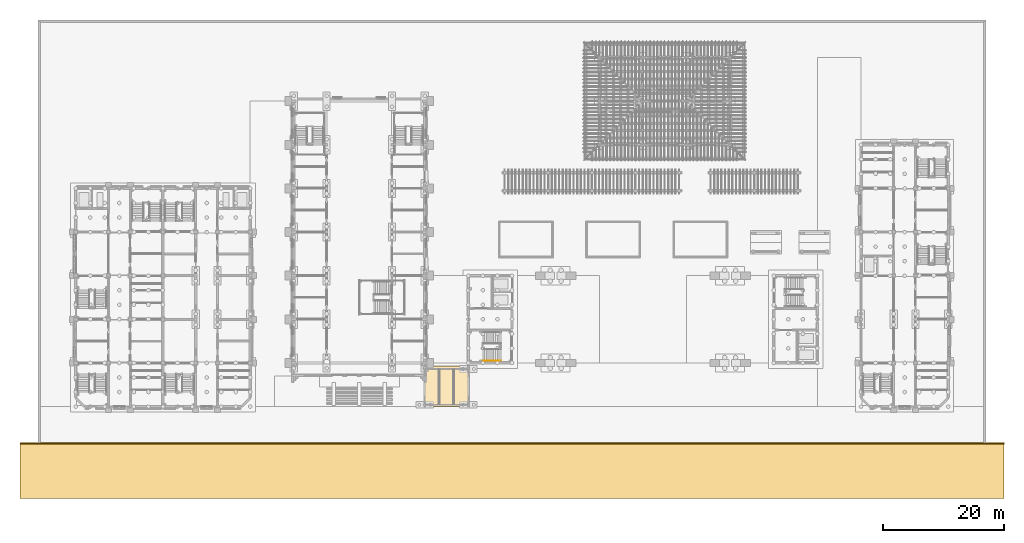
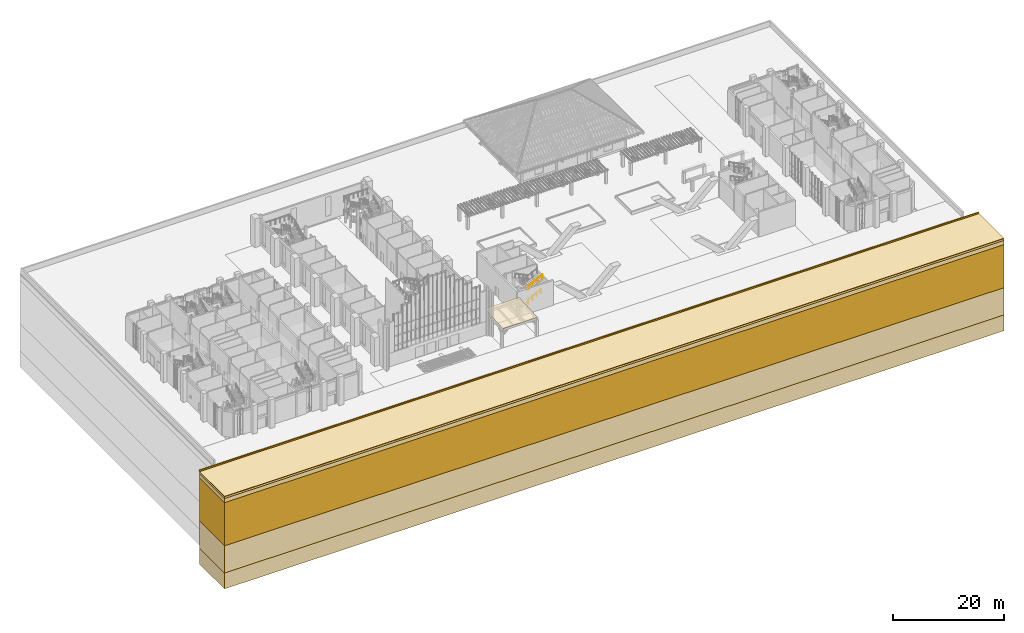
# One storey, part 73 of 84: 8 coverings, 2 railings.
"""IFC4 building model written with IfcOpenShell, lengths in metres."""

from ifc_helpers import new_model, si_unit, direction, frame, origin, origin_2d, place, context, subcontext, project, spatial, polyline, circle, outline, extrude, material, layer, layer_set, type_object, element, save


model = new_model("IFC4")

# Units and contexts
model_context = context("Model", 3, precision=1e-05, world=origin(), true_north=direction((0.0, 1.0)))
body_context = subcontext(model_context, "Body", "Model", "MODEL_VIEW")
ifc_project = project(units=[si_unit("LENGTHUNIT", "METRE"), si_unit("AREAUNIT", "SQUARE_METRE"), si_unit("VOLUMEUNIT", "CUBIC_METRE"), si_unit("PLANEANGLEUNIT", "RADIAN"), si_unit("MASSUNIT", "GRAM", prefix="KILO")], contexts=[model_context])

# Site, building, storey
site_placement = place(None, origin())
site = spatial("IfcSite", under=ifc_project, at=site_placement, CompositionType="ELEMENT")
building_placement = place(site_placement, origin())
building = spatial("IfcBuilding", under=site, at=building_placement, Name="Mazhai Court Health Centre", CompositionType="ELEMENT")
storey_placement = place(building_placement, origin())
storey = spatial("IfcBuildingStorey", under=building, at=storey_placement, Name="L00", CompositionType="ELEMENT", Elevation=0.0)

# Coverings
ifc_material_1 = material(Name="Asphalt carriageway")
ifc_layer_1 = layer(ifc_material_1, 0.080078125)
ifc_layer_set_1 = layer_set([ifc_layer_1], Name="BOULEVARD CARRIAGEWAY ASPHALT 80")
covering_type_1 = type_object("IfcCoveringType", Name="BOULEVARD CARRIAGEWAY ASPHALT 80", PredefinedType="FLOORING", material=ifc_layer_set_1)
covering_1_placement = place(storey_placement, frame((0.0, 0.0, -0.199951171875)))
element("IfcCovering", 1, at=covering_1_placement, inside=storey, type_object=covering_type_1, Name="Boulevard carriageway", PredefinedType="FLOORING", context=body_context, shape_type="SweptSolid", body=[
    extrude(outline(polyline([(-3.0, -9.0), (159.39990234375, -9.0), (159.39990234375, 0.0), (-3.0, 0.0), (-3.0, -9.0)])), origin(), (0.0, 0.0, 1.0), 0.079833984375),
])
ifc_material_2 = material(Name="Compacted granular road base")
ifc_layer_2 = layer(ifc_material_2, 0.39990234375)
ifc_layer_set_2 = layer_set([ifc_layer_2], Name="BOULEVARD ROAD BASE 400")
covering_type_2 = type_object("IfcCoveringType", Name="BOULEVARD ROAD BASE 400", PredefinedType="FLOORING", material=ifc_layer_set_2)
covering_2_placement = place(storey_placement, frame((0.0, 0.0, -0.60009765625)))
element("IfcCovering", 2, at=covering_2_placement, inside=storey, type_object=covering_type_2, Name="Boulevard road base", PredefinedType="FLOORING", context=body_context, shape_type="SweptSolid", body=[
    extrude(outline(polyline([(-3.0, -9.0), (159.39990234375, -9.0), (159.39990234375, 0.0), (-3.0, 0.0), (-3.0, -9.0)])), origin(), (0.0, 0.0, 1.0), 0.400146484375),
])
ifc_material_3 = material(Name="Granite kerb", Category="masonry")
ifc_layer_3 = layer(ifc_material_3, 0.25)
ifc_layer_set_3 = layer_set([ifc_layer_3], Name="GRANITE KERB 250")
covering_type_3 = type_object("IfcCoveringType", Name="GRANITE KERB 250", PredefinedType="MOLDING", material=ifc_layer_set_3)
covering_3_placement = place(storey_placement, frame((0.0, 0.0, -0.199951171875)))
element("IfcCovering", 3, at=covering_3_placement, inside=storey, type_object=covering_type_3, Name="Boulevard kerb", PredefinedType="MOLDING", context=body_context, shape_type="SweptSolid", body=[
    extrude(outline(polyline([(-3.0, 0.0), (159.39990234375, 0.0), (159.39990234375, 0.25), (-3.0, 0.25), (-3.0, 0.0)])), origin(), (0.0, 0.0, 1.0), 0.349853515625),
])
ifc_material_4 = material(Name="Zinc standing seam")
ifc_layer_4 = layer(ifc_material_4, 0.02001953125)
ifc_layer_set_4 = layer_set([ifc_layer_4], Name="ROOFING ZINC STANDING SEAM 20")
covering_type_4 = type_object("IfcCoveringType", Name="ROOFING ZINC STANDING SEAM 20", PredefinedType="ROOFING", material=ifc_layer_set_4)
covering_4_placement = place(storey_placement, frame((63.81005859375, 6.199951171875, 4.199951171875), z_axis=(0.0, -0.055484125039, 0.998459569471), x_axis=(1.0, 0.0, 0.0)))
element("IfcCovering", 4, at=covering_4_placement, inside=storey, type_object=covering_type_4, Name="cover-AR-L00-00", PredefinedType="ROOFING", context=body_context, shape_type="SweptSolid", body=[
    extrude(outline(polyline([(0.0, 0.0), (7.179931640625, 0.0), (7.179931640625, 6.710287904219531), (0.0, 6.710287904219531), (0.0, 0.0)])), origin(), (0.0, 0.0, -1.0), 0.02001953125),
])
ifc_material_5 = material(Name="Compacted earth fill")
ifc_layer_5 = layer(ifc_material_5, 1.300048828125)
ifc_layer_set_5 = layer_set([ifc_layer_5], Name="SITE GROUND COMPACTED EARTH FILL")
covering_type_5 = type_object("IfcCoveringType", Name="SITE GROUND COMPACTED EARTH FILL", PredefinedType="FLOORING", material=ifc_layer_set_5)
covering_5_placement = place(storey_placement, frame((0.0, 0.0, -1.5)))
element("IfcCovering", 5, at=covering_5_placement, inside=storey, type_object=covering_type_5, Name="Site soil 2", PredefinedType="FLOORING", context=body_context, shape_type="SweptSolid", body=[
    extrude(outline(polyline([(-3.0, -9.0), (-3.0, 0.0), (159.39990234375, 0.0), (159.39990234375, -9.0), (-3.0, -9.0)])), origin(), (0.0, 0.0, 1.0), 0.89990234375),
])
ifc_material_6 = material(Name="Dense sand")
ifc_layer_6 = layer(ifc_material_6, 3.5)
ifc_layer_set_6 = layer_set([ifc_layer_6], Name="SITE GROUND DENSE SAND")
covering_type_6 = type_object("IfcCoveringType", Name="SITE GROUND DENSE SAND", PredefinedType="FLOORING", material=ifc_layer_set_6)
covering_6_placement = place(storey_placement, frame((0.0, 0.0, -20.5)))
element("IfcCovering", 6, at=covering_6_placement, inside=storey, type_object=covering_type_6, Name="Site dense sand 2", PredefinedType="FLOORING", context=body_context, shape_type="SweptSolid", body=[
    extrude(outline(polyline([(-3.0, -9.0), (-3.0, 0.0), (159.39990234375, 0.0), (159.39990234375, -9.0), (-3.0, -9.0)])), origin(), (0.0, 0.0, 1.0), 3.5),
])
ifc_material_7 = material(Name="Medium dense sand")
ifc_layer_7 = layer(ifc_material_7, 6.0)
ifc_layer_set_7 = layer_set([ifc_layer_7], Name="SITE GROUND MEDIUM DENSE SAND")
covering_type_7 = type_object("IfcCoveringType", Name="SITE GROUND MEDIUM DENSE SAND", PredefinedType="FLOORING", material=ifc_layer_set_7)
covering_7_placement = place(storey_placement, frame((0.0, 0.0, -17.0)))
element("IfcCovering", 7, at=covering_7_placement, inside=storey, type_object=covering_type_7, Name="Site medium dense sand 2", PredefinedType="FLOORING", context=body_context, shape_type="SweptSolid", body=[
    extrude(outline(polyline([(-3.0, -9.0), (-3.0, 0.0), (159.39990234375, 0.0), (159.39990234375, -9.0), (-3.0, -9.0)])), origin(), (0.0, 0.0, 1.0), 6.0),
])
ifc_material_8 = material(Name="Soft marine clay")
ifc_layer_8 = layer(ifc_material_8, 9.5)
ifc_layer_set_8 = layer_set([ifc_layer_8], Name="SITE GROUND SOFT MARINE CLAY")
covering_type_8 = type_object("IfcCoveringType", Name="SITE GROUND SOFT MARINE CLAY", PredefinedType="FLOORING", material=ifc_layer_set_8)
covering_8_placement = place(storey_placement, frame((0.0, 0.0, -11.0)))
element("IfcCovering", 8, at=covering_8_placement, inside=storey, type_object=covering_type_8, Name="Site soft clay 2", PredefinedType="FLOORING", context=body_context, shape_type="SweptSolid", body=[
    extrude(outline(polyline([(-3.0, -9.0), (-3.0, 0.0), (159.39990234375, 0.0), (159.39990234375, -9.0), (-3.0, -9.0)])), origin(), (0.0, 0.0, 1.0), 9.5),
])

# Railings
ifc_material_9 = material(Name="Steel IS 2062 E250", Category="steel")
railing_type = type_object("IfcRailingType", Name="STAIR HANDRAIL 900", PredefinedType="HANDRAIL", material=ifc_material_9)
railing_1_placement = place(storey_placement, frame((73.375, 13.7451171875, 1.800048828125)))
element("IfcRailing", 9, at=railing_1_placement, inside=storey, type_object=railing_type, Name="L00 ST6 stair handrail 2", PredefinedType="HANDRAIL", context=body_context, shape_type="SweptSolid", body=[
    extrude(circle(Radius=0.02392578125, at=origin_2d()), frame((0.0, 0.0, 0.8759765625), z_axis=(0.89444336626, 0.0, 0.447181243517), x_axis=(0.0, 1.0, 0.0)), (0.0, 0.0, 1.0), 3.0185546875),
    extrude(circle(Radius=0.02099609375, at=origin_2d()), origin(), (0.0, 0.0, 1.0), 0.851806640625),
    extrude(circle(Radius=0.02099609375, at=origin_2d()), frame((0.89990234375, 0.0, 0.449951171875)), (0.0, 0.0, 1.0), 0.851806640625),
    extrude(circle(Radius=0.02099609375, at=origin_2d()), frame((1.800048828125, 0.0, 0.89990234375)), (0.0, 0.0, 1.0), 0.851806640625),
    extrude(circle(Radius=0.02099609375, at=origin_2d()), frame((2.699951171875, 0.0, 1.349853515625)), (0.0, 0.0, 1.0), 0.851806640625),
])
railing_2_placement = place(storey_placement, frame((73.375, 13.7451171875, 4.800048828125)))
element("IfcRailing", 10, at=railing_2_placement, inside=storey, type_object=railing_type, Name="L00 ST6 stair handrail 4", PredefinedType="HANDRAIL", context=body_context, shape_type="SweptSolid", body=[
    extrude(circle(Radius=0.02392578125, at=origin_2d()), frame((0.0, 0.0, 0.8759765625), z_axis=(0.894427191, 0.0, 0.4472135955), x_axis=(0.0, 1.0, 0.0)), (0.0, 0.0, 1.0), 3.35400390625),
    extrude(circle(Radius=0.02099609375, at=origin_2d()), origin(), (0.0, 0.0, 1.0), 0.851806640625),
    extrude(circle(Radius=0.02099609375, at=origin_2d()), frame((1.0, 0.0, 0.5)), (0.0, 0.0, 1.0), 0.851806640625),
    extrude(circle(Radius=0.02099609375, at=origin_2d()), frame((2.0, 0.0, 1.0)), (0.0, 0.0, 1.0), 0.851806640625),
    extrude(circle(Radius=0.02099609375, at=origin_2d()), frame((3.0, 0.0, 1.5)), (0.0, 0.0, 1.0), 0.851806640625),
])

save(model, "model.ifc")
